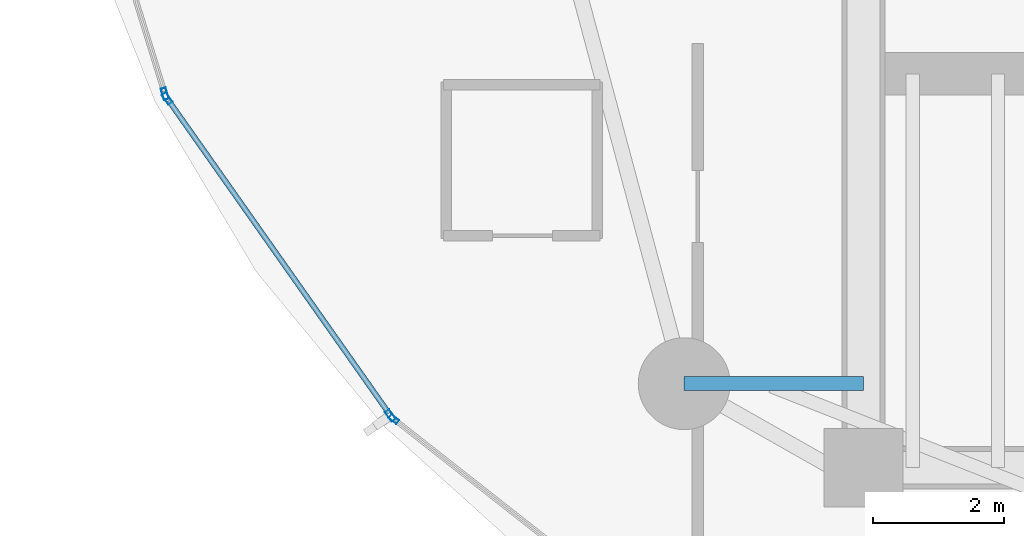
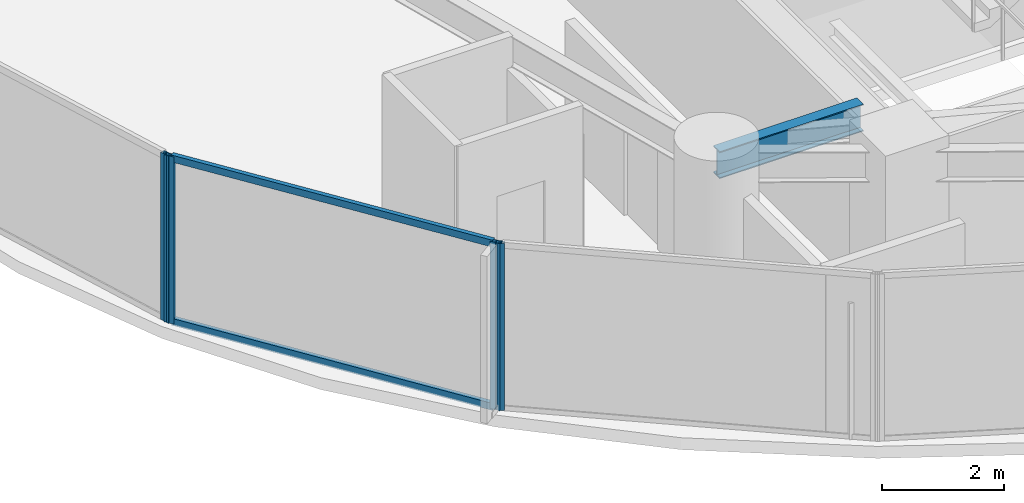
# One storey, part 3 of 31: 6 members, 1 beam, 3 elements without a shape of their own.
"""IFC4 building model written with IfcOpenShell, lengths in metres."""

from ifc_helpers import new_model, si_unit, direction, frame, origin, origin_2d, place, context, subcontext, project, spatial, hollow_rectangle, i_section, extrude, material, layer, layer_set, material_profile, profile_set, type_object, element, aggregate, save


model = new_model("IFC4")

# Units and contexts
model_context = context("Model", 3, precision=1e-05, world=origin(), true_north=direction((0.0, 1.0)))
body_context = subcontext(model_context, "Body", "Model", "MODEL_VIEW")
ifc_project = project(units=[si_unit("LENGTHUNIT", "METRE"), si_unit("AREAUNIT", "SQUARE_METRE"), si_unit("VOLUMEUNIT", "CUBIC_METRE"), si_unit("PLANEANGLEUNIT", "RADIAN"), si_unit("MASSUNIT", "GRAM", prefix="KILO")], contexts=[model_context])

# Site, building, storey
site_placement = place(None, origin())
site = spatial("IfcSite", under=ifc_project, at=site_placement, CompositionType="ELEMENT")
building_placement = place(site_placement, origin())
building = spatial("IfcBuilding", under=site, at=building_placement, Name="Kazevale Care Tower and Concert Hall", CompositionType="ELEMENT")
storey_placement = place(building_placement, frame((0.0, 0.0, 63.60009765625)))
storey = spatial("IfcBuildingStorey", under=building, at=storey_placement, Name="L16", CompositionType="ELEMENT", Elevation=63.60009765625)

# Curtain wall, members
ifc_material_1 = material(Name="Aluminium 6063-T6 and Low-E Glass", Category="aluminium")
ifc_layer_1 = layer(ifc_material_1, 0.179931640625)
ifc_layer_set_1 = layer_set([ifc_layer_1], Name="Aluminium 6063-T6 and Low-E Glass")
curtain_wall_type_1 = type_object("IfcCurtainWallType", Name="Waist & Upper Residential Curtain Wall CW-4", PredefinedType="NOTDEFINED", material=ifc_layer_set_1)
curtain_wall_1_placement = place(storey_placement, origin())
curtain_wall_1 = element("IfcCurtainWall", 1, at=curtain_wall_1_placement, inside=storey, type_object=curtain_wall_type_1, Name="cw:L16:f11", PredefinedType="NOTDEFINED")
ifc_material_2 = material(Name="Aluminium 6063-T6", Category="aluminium")
ifc_material_profile_1 = material_profile(ifc_material_2, hollow_rectangle(XDim=0.080078125, YDim=0.179931640625, WallThickness=0.0048828125, at=origin_2d()), Name="ALU80x180x5")
ifc_profile_set_1 = profile_set([ifc_material_profile_1], Name="Aluminium 6063-T6")
member_type_1 = type_object("IfcMemberType", Name="CW-4 Mullion ALU80x180x5", PredefinedType="MULLION", material=ifc_profile_set_1)
member_1_placement = place(storey_placement, frame((14.794921875, 24.396728515625, 0.0), z_axis=(0.0, 0.0, 1.0), x_axis=(-0.817564654583, -0.575836813322, 0.0)))
member_1 = element("IfcMember", 2, at=member_1_placement, type_object=member_type_1, Name="CW-4 mullion 1", PredefinedType="MULLION", context=body_context, shape_type="SweptSolid", body=[
    extrude(hollow_rectangle(XDim=0.080078125, YDim=0.179931640625, WallThickness=0.0048828125, at=origin_2d()), origin(), (0.0, 0.0, 1.0), 3.35986328125),
])
member_2_placement = place(storey_placement, frame((11.39404296875, 29.225341796875, 0.0), z_axis=(0.0, 0.0, 1.0), x_axis=(-0.817564654583, -0.575836813322, 0.0)))
member_2 = element("IfcMember", 3, at=member_2_placement, type_object=member_type_1, Name="CW-4 mullion 2", PredefinedType="MULLION", context=body_context, shape_type="SweptSolid", body=[
    extrude(hollow_rectangle(XDim=0.080078125, YDim=0.179931640625, WallThickness=0.0048828125, at=origin_2d()), origin(), (0.0, 0.0, 1.0), 3.35986328125),
])

# Curtain wall, member
curtain_wall_2_placement = place(storey_placement, origin())
curtain_wall_2 = element("IfcCurtainWall", 4, at=curtain_wall_2_placement, inside=storey, type_object=curtain_wall_type_1, Name="cw:L16:f12", PredefinedType="NOTDEFINED")
member_3_placement = place(storey_placement, frame((11.359130859375, 29.296142578125, 0.0), z_axis=(0.0, 0.0, 1.0), x_axis=(-0.955157326175, -0.296098771112, 0.0)))
member_3 = element("IfcMember", 5, at=member_3_placement, type_object=member_type_1, Name="CW-4 mullion 1", PredefinedType="MULLION", context=body_context, shape_type="SweptSolid", body=[
    extrude(hollow_rectangle(XDim=0.080078125, YDim=0.179931640625, WallThickness=0.0048828125, at=origin_2d()), origin(), (0.0, 0.0, 1.0), 3.35986328125),
])
aggregate(curtain_wall_2, [member_3])

# Member
ifc_material_profile_2 = material_profile(ifc_material_2, hollow_rectangle(XDim=0.080078125, YDim=0.139892578125, WallThickness=0.00390625, at=origin_2d()), Name="ALU80x140x4")
ifc_profile_set_2 = profile_set([ifc_material_profile_2], Name="Aluminium 6063-T6")
member_type_2 = type_object("IfcMemberType", Name="CW-4 Transom ALU80x140x4", PredefinedType="USERDEFINED", material=ifc_profile_set_2)
member_4_placement = place(storey_placement, frame((14.77197265625, 24.429443359375, 0.039794921875), z_axis=(-0.575850423039, 0.817555068657, 0.0), x_axis=(-0.817555068657, -0.575850423039, 0.0)))
member_4 = element("IfcMember", 6, at=member_4_placement, type_object=member_type_2, Name="CW-4 transom 1.1", ObjectType="TRANSOM", PredefinedType="USERDEFINED", context=body_context, shape_type="SweptSolid", body=[
    extrude(hollow_rectangle(XDim=0.080078125, YDim=0.139892578125, WallThickness=0.00390625, at=origin_2d()), origin(), (0.0, 0.0, 1.0), 5.826171875),
])

member_5_placement = place(storey_placement, frame((14.77197265625, 24.429443359375, 3.31982421875), z_axis=(-0.575850423039, 0.817555068657, 0.0), x_axis=(-0.817555068657, -0.575850423039, 0.0)))
member_5 = element("IfcMember", 7, at=member_5_placement, type_object=member_type_2, Name="CW-4 transom 1.2", ObjectType="TRANSOM", PredefinedType="USERDEFINED", context=body_context, shape_type="SweptSolid", body=[
    extrude(hollow_rectangle(XDim=0.080078125, YDim=0.139892578125, WallThickness=0.00390625, at=origin_2d()), origin(), (0.0, 0.0, 1.0), 5.826171875),
])

aggregate(curtain_wall_1, [member_1, member_2, member_4, member_5])

# Curtain wall, member
ifc_layer_2 = layer(ifc_material_1, 0.179931640625)
ifc_layer_set_2 = layer_set([ifc_layer_2], Name="Aluminium 6063-T6 and Low-E Glass")
curtain_wall_type_2 = type_object("IfcCurtainWallType", Name="Sheltered Concave Balcony Curtain Wall CW-5", PredefinedType="NOTDEFINED", material=ifc_layer_set_2)
curtain_wall_3_placement = place(storey_placement, origin())
curtain_wall_3 = element("IfcCurtainWall", 8, at=curtain_wall_3_placement, inside=storey, type_object=curtain_wall_type_2, Name="cw:L16:f10", PredefinedType="NOTDEFINED")
ifc_material_profile_3 = material_profile(ifc_material_2, hollow_rectangle(XDim=0.074951171875, YDim=0.14990234375, WallThickness=0.00390625, at=origin_2d()), Name="ALU75x150x4")
ifc_profile_set_3 = profile_set([ifc_material_profile_3], Name="Aluminium 6063-T6")
member_type_3 = type_object("IfcMemberType", Name="CW-5 Mullion ALU75x150x4", PredefinedType="MULLION", material=ifc_profile_set_3)
member_6_placement = place(storey_placement, frame((14.847412109375, 24.3408203125, 0.0), z_axis=(0.0, 0.0, 1.0), x_axis=(-0.617807548814, -0.78632934107, 0.0)))
member_6 = element("IfcMember", 9, at=member_6_placement, type_object=member_type_3, Name="CW-5 mullion 2", PredefinedType="MULLION", context=body_context, shape_type="SweptSolid", body=[
    extrude(hollow_rectangle(XDim=0.074951171875, YDim=0.14990234375, WallThickness=0.00390625, at=origin_2d()), origin(), (0.0, 0.0, 1.0), 3.35986328125),
])
aggregate(curtain_wall_3, [member_6])

# Beam
ifc_material_3 = material(Name="Steel ASTM A572 Gr 50", Category="steel")
ifc_material_profile_4 = material_profile(ifc_material_3, i_section(OverallWidth=0.2119140625, OverallDepth=0.5439453125, WebThickness=0.01318359375, FlangeThickness=0.021240234375, at=origin_2d()), Name="W530x123")
ifc_profile_set_4 = profile_set([ifc_material_profile_4], Name="Steel ASTM A572 Gr 50")
beam_type = type_object("IfcBeamType", Name="Radial Floor Girder W530x123", PredefinedType="BEAM", material=ifc_profile_set_4)
beam_placement = place(storey_placement, frame((22.0, 24.8798828125, 3.087890625), z_axis=(-1.0, 0.0, 0.0), x_axis=(0.0, -1.0, 0.0)))
element("IfcBeam", 10, at=beam_placement, inside=storey, type_object=beam_type, Name="beam:L16:rad:10", PredefinedType="BEAM", context=body_context, shape_type="SweptSolid", body=[
    extrude(i_section(OverallWidth=0.2119140625, OverallDepth=0.5439453125, WebThickness=0.01318359375, FlangeThickness=0.021240234375, at=origin_2d()), origin(), (0.0, 0.0, 1.0), 2.72998046875),
])

save(model, "model.ifc")
